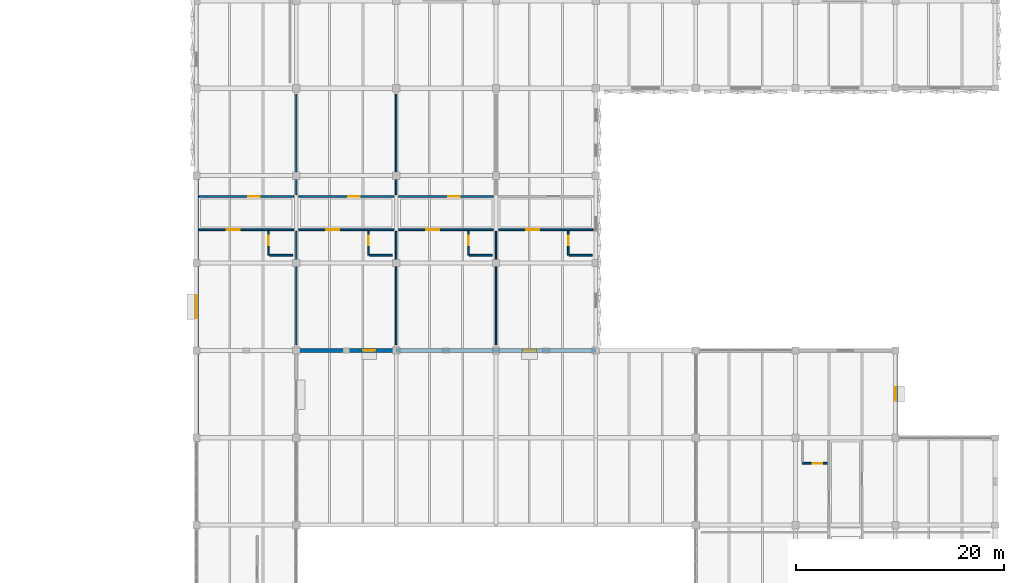
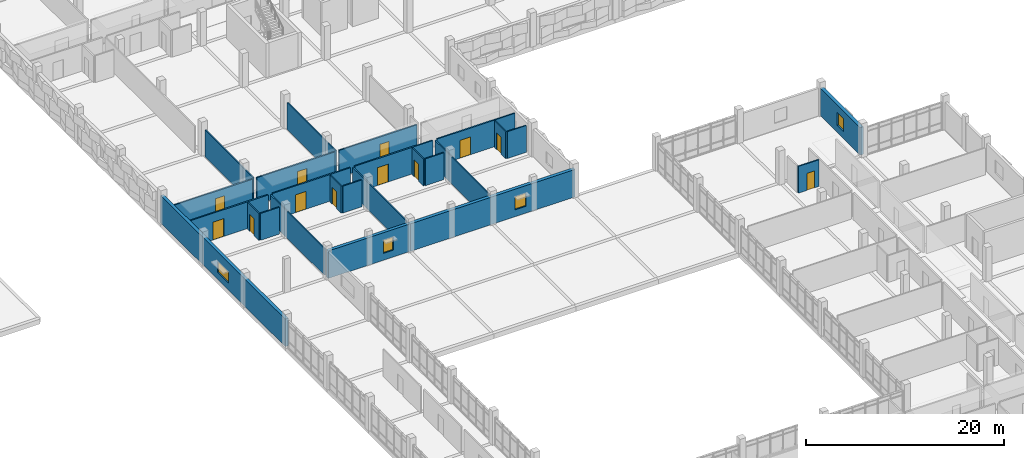
# One storey, part 43 of 57: 25 walls, 12 doors, 4 windows, 16 openings.
"""IFC4 building model written with IfcOpenShell, lengths in metres."""

import ifcopenshell
import ifcopenshell.guid

model = None  # the IFC model being written
_history = None  # IfcOwnerHistory: only IFC2X3 demands one
_inside = {}  # id of a spatial element -> (the spatial element, [elements in it])
_under = {}  # id of a project, library or spatial element -> (it, [spatial elements below it])
_declared = {}  # id of a project -> (the project, [libraries it declares])
_typed = {}  # id of a type object -> (the type object, [elements of that type])
_made_of = {}  # id of a material, layer set ... -> (it, [elements and type objects made of it])


def new_model(schema):
    """Start an empty IFC model of exactly this schema.

    Asked for "IFC4X3", IfcOpenShell would pick the latest addendum, in which some entities
    have other attributes; the version numbers below select the first issue.
    IFC2X3 requires an IfcOwnerHistory on every rooted entity: one is made here for all.
    """
    global model, _history
    if schema == "IFC4X3":
        model = ifcopenshell.file(schema_version=(4, 3, 0, 0))
    else:
        model = ifcopenshell.file(schema=schema)
    _inside.clear()
    _under.clear()
    _declared.clear()
    _typed.clear()
    _made_of.clear()
    _history = None
    if model.schema == "IFC2X3":
        org = make("IfcOrganization", Name="unknown")
        user = make(
            "IfcPersonAndOrganization",
            ThePerson=make("IfcPerson", FamilyName="unknown"),
            TheOrganization=org,
        )
        app = make(
            "IfcApplication",
            ApplicationDeveloper=org,
            Version="unknown",
            ApplicationFullName="unknown",
            ApplicationIdentifier="unknown",
        )
        _history = make(
            "IfcOwnerHistory",
            OwningUser=user,
            OwningApplication=app,
            ChangeAction="ADDED",
            CreationDate=0,
        )
    return model


def make(cls, **values):
    """One entity of the class cls with the attributes given. An attribute that is None is left unset."""
    return model.create_entity(
        cls, **{name: value for name, value in values.items() if value is not None}
    )


def rooted(cls, **values):
    """An entity with a GlobalId (a new one), such as an element, a storey or a relation."""
    return make(cls, GlobalId=ifcopenshell.guid.new(), OwnerHistory=_history, **values)


def si_unit(unit_type, name, prefix=None):
    """IfcSIUnit, for example si_unit("LENGTHUNIT", "METRE", prefix="MILLI")."""
    return make("IfcSIUnit", UnitType=unit_type, Prefix=prefix, Name=name)


def assignment(units):
    """IfcUnitAssignment: the units of a project."""
    return None if units is None else make("IfcUnitAssignment", Units=units)


def point(xyz):
    """IfcCartesianPoint."""
    return None if xyz is None else make("IfcCartesianPoint", Coordinates=xyz)


def direction(xyz):
    """IfcDirection."""
    return None if xyz is None else make("IfcDirection", DirectionRatios=xyz)


def frame(location, z_axis=None, x_axis=None):
    """IfcAxis2Placement3D, a coordinate frame: its origin and axes. An axis left out is left unset."""
    return make(
        "IfcAxis2Placement3D",
        Location=point(location),
        Axis=direction(z_axis),
        RefDirection=direction(x_axis),
    )


def frame_2d(location, x_axis=None):
    """IfcAxis2Placement2D, a coordinate frame in the plane: its origin and x axis."""
    return make(
        "IfcAxis2Placement2D", Location=point(location), RefDirection=direction(x_axis)
    )


def origin():
    """The frame at (0, 0, 0) with its axes left unset."""
    return frame((0.0, 0.0, 0.0))


def place(relative_to, where):
    """IfcLocalPlacement: puts the frame where relative to a parent placement (None: the world)."""
    return make(
        "IfcLocalPlacement", PlacementRelTo=relative_to, RelativePlacement=where
    )


def context(
    kind, dimensions, precision=None, world=None, true_north=None, identifier=None
):
    """IfcGeometricRepresentationContext, for example the 3D "Model" context."""
    return make(
        "IfcGeometricRepresentationContext",
        ContextIdentifier=identifier,
        ContextType=kind,
        CoordinateSpaceDimension=dimensions,
        Precision=precision,
        WorldCoordinateSystem=world,
        TrueNorth=true_north,
    )


def subcontext(parent, identifier, kind, view, scale=None):
    """IfcGeometricRepresentationSubContext, for example "Body" below "Model"."""
    return make(
        "IfcGeometricRepresentationSubContext",
        ContextIdentifier=identifier,
        ContextType=kind,
        ParentContext=parent,
        TargetScale=scale,
        TargetView=view,
    )


def project(units=None, contexts=None):
    """IfcProject with its units and contexts."""
    return rooted(
        "IfcProject",
        Name="project",
        RepresentationContexts=contexts,
        UnitsInContext=assignment(units),
    )


def spatial(cls, under=None, at=None, **own):
    """A site, building, storey or space (cls), placed at a placement, below another one or the project."""
    s = rooted(cls, ObjectPlacement=at, **own)
    if under is not None:
        _under.setdefault(under.id(), (under, []))[1].append(s)
    return s


def profile(cls, at=None, kind="AREA", **sizes):
    """A parametric profile (cls). Its sizes go by their IFC names, for example OverallWidth=200.0."""
    return make(cls, ProfileType=kind, Position=at, **sizes)


def rectangle(**sizes):
    """IfcRectangleProfileDef."""
    return profile("IfcRectangleProfileDef", **sizes)


def extrude(swept, where, along, depth):
    """IfcExtrudedAreaSolid: the profile swept, set in the frame where, extruded along a direction by depth."""
    return make(
        "IfcExtrudedAreaSolid",
        SweptArea=swept,
        Position=where,
        ExtrudedDirection=direction(along),
        Depth=depth,
    )


def shape(context_of_items, identifier, shape_type, items):
    """IfcShapeRepresentation: the items that make up one representation, for example the "Body"."""
    return make(
        "IfcShapeRepresentation",
        ContextOfItems=context_of_items,
        RepresentationIdentifier=identifier,
        RepresentationType=shape_type,
        Items=items,
    )


def material(Name=None, Category=None):
    """IfcMaterial."""
    return make("IfcMaterial", Name=Name, Category=Category)


def layer(
    of_material, thickness, ventilated=None, Name=None, Category=None, Priority=None
):
    """IfcMaterialLayer: one layer of a wall or slab, of a material (None: an air gap)."""
    return make(
        "IfcMaterialLayer",
        Material=of_material,
        LayerThickness=thickness,
        IsVentilated=ventilated,
        Name=Name,
        Category=Category,
        Priority=Priority,
    )


def layer_set(layers, Name=None):
    """IfcMaterialLayerSet."""
    return make("IfcMaterialLayerSet", MaterialLayers=layers, LayerSetName=Name)


def made_of(thing, what):
    """Note that an element or type object is made of a material, layer set ...; save() writes the relation."""
    if what is not None:
        _made_of.setdefault(what.id(), (what, []))[1].append(thing)
    return thing


def type_object(cls, material=None, **own):
    """A type object (cls), such as IfcWallType, which elements share."""
    return made_of(rooted(cls, **own), material)


def element(
    cls,
    number,
    at=None,
    inside=None,
    cuts=None,
    type_object=None,
    material=None,
    context=None,
    identifier="Body",
    shape_type=None,
    held_by="IfcProductDefinitionShape",
    body=None,
    shapes=None,
    **own,
):
    """One element of the class cls, such as IfcWall. Its Tag is "e" and its number.

    at: its placement. inside: the storey or other place that contains it. cuts: it is an
    opening in that element (IfcRelVoidsElement). A single representation is given by context,
    identifier, shape_type and body (its items); several are given by shapes. held_by: the class
    of the entity that holds the representations. save() writes the other relations.
    """
    e = rooted(cls, Tag="e%d" % number, ObjectPlacement=at, **own)
    if body is not None:
        shapes = [shape(context, identifier, shape_type, body)]
    if shapes is not None:
        e.Representation = make(held_by, Representations=shapes)
    if inside is not None:
        _inside.setdefault(inside.id(), (inside, []))[1].append(e)
    if cuts is not None:
        rooted(
            "IfcRelVoidsElement", RelatingBuildingElement=cuts, RelatedOpeningElement=e
        )
    if type_object is not None:
        _typed.setdefault(type_object.id(), (type_object, []))[1].append(e)
    return made_of(e, material)


def fill(opening, filler):
    """IfcRelFillsElement: the door or window that sits in an opening."""
    return rooted(
        "IfcRelFillsElement",
        RelatingOpeningElement=opening,
        RelatedBuildingElement=filler,
    )


def aggregate(whole, parts):
    """IfcRelAggregates: a whole, such as a stair, and the parts it consists of."""
    return rooted("IfcRelAggregates", RelatingObject=whole, RelatedObjects=parts)


def save(model, path):
    """Write the relations noted so far, then the file.

    IfcRelAggregates (storeys below a building ...), IfcRelContainedInSpatialStructure (elements
    in a storey), IfcRelDefinesByType, IfcRelAssociatesMaterial and IfcRelDeclares: one each for
    every whole, place, type object, material and project.
    """
    for whole, parts in _under.values():
        aggregate(whole, parts)
    for where, things in _inside.values():
        rooted(
            "IfcRelContainedInSpatialStructure",
            RelatedElements=things,
            RelatingStructure=where,
        )
    for kind, things in _typed.values():
        rooted("IfcRelDefinesByType", RelatedObjects=things, RelatingType=kind)
    for what, things in _made_of.values():
        rooted("IfcRelAssociatesMaterial", RelatedObjects=things, RelatingMaterial=what)
    for by, libraries in _declared.values():
        rooted("IfcRelDeclares", RelatingContext=by, RelatedDefinitions=libraries)
    model.write(path)


model = new_model("IFC4")

# Units and contexts
model_context = context("Model", 3, precision=1e-05, world=origin(), true_north=direction((0.0, 1.0)))
body_context = subcontext(model_context, "Body", "Model", "MODEL_VIEW")
ifc_project = project(units=[si_unit("LENGTHUNIT", "METRE"), si_unit("AREAUNIT", "SQUARE_METRE"), si_unit("VOLUMEUNIT", "CUBIC_METRE"), si_unit("PLANEANGLEUNIT", "RADIAN"), si_unit("MASSUNIT", "GRAM", prefix="KILO")], contexts=[model_context])

# Site, building, storey
site_placement = place(None, origin())
site = spatial("IfcSite", under=ifc_project, at=site_placement, CompositionType="ELEMENT")
building_placement = place(site_placement, origin())
building = spatial("IfcBuilding", under=site, at=building_placement, Name="Oolite Switchyard Hospital", CompositionType="ELEMENT")
storey_placement = place(building_placement, frame((0.0, 0.0, 17.800048828125)))
storey = spatial("IfcBuildingStorey", under=building, at=storey_placement, Name="L04", CompositionType="ELEMENT", Elevation=17.800048828125)

# Wall, opening, window
ifc_material_1 = material(Name="Precast oolitic limestone architectural concrete C40/50", Category="masonry")
ifc_layer_1 = layer(ifc_material_1, 0.360107421875)
ifc_layer_set_1 = layer_set([ifc_layer_1], Name="WAL-EXT-360")
wall_type_1 = type_object("IfcWallType", Name="WAL-EXT-360", PredefinedType="SOLIDWALL", material=ifc_layer_set_1)
wall_1_placement = place(storey_placement, frame((153.60009765625, 75.60009765625, 0.0), z_axis=(0.0, 0.0, 1.0), x_axis=(-1.0, 0.0, 0.0)))
wall_1 = element("IfcWall", 1, at=wall_1_placement, inside=storey, type_object=wall_type_1, Name="L04 Exterior Spandrel Wall 260", PredefinedType="SOLIDWALL", context=body_context, shape_type="SweptSolid", body=[
    extrude(rectangle(XDim=9.60009765625, YDim=0.360107421875, at=frame_2d((4.800048828125, 0.0))), origin(), (0.0, 0.0, 1.0), 3.389892578125),
])
opening_1_placement = place(wall_1_placement, frame((2.028076171875, 0.0, 0.85009765625)))
opening_1 = element("IfcOpeningElement", 2, at=opening_1_placement, cuts=wall_1, Name="Opening WN-0155", PredefinedType="OPENING", context=body_context, shape_type="SweptSolid", body=[
    extrude(rectangle(XDim=1.14990234375, YDim=1.60009765625, at=frame_2d((0.574951171875, 0.800048828125))), frame((0.0, 0.18994140625, 0.0), z_axis=(0.0, -1.0, 0.0), x_axis=(1.0, 0.0, 0.0)), (0.0, 0.0, 1.0), 0.380126953125),
])
ifc_material_2 = material(Name="Thermally broken aluminum frame with laminated impact glazing", Category="aluminium")
window_type_1 = type_object("IfcWindowType", Name="WIN-IMP-115X160", PartitioningType="SINGLE_PANEL", PredefinedType="WINDOW", material=ifc_material_2)
window_1_placement = place(opening_1_placement, origin())
window_1 = element("IfcWindow", 3, at=window_1_placement, inside=storey, type_object=window_type_1, Name="L04 Hurricane Impact Window WN-0155", OverallHeight=1.60009765625, OverallWidth=1.14990234375, PartitioningType="SINGLE_PANEL", PredefinedType="WINDOW", context=body_context, shape_type="SweptSolid", body=[
    extrude(rectangle(XDim=1.14990234375, YDim=1.60009765625, at=frame_2d((0.574951171875, 0.800048828125))), frame((0.0, 0.030029296875, 0.0), z_axis=(0.0, -1.0, 0.0), x_axis=(1.0, 0.0, 0.0)), (0.0, 0.0, 1.0), 0.06005859375),
])
fill(opening_1, window_1)

wall_2_placement = place(storey_placement, frame((134.39990234375, 67.199951171875, 0.0), z_axis=(0.0, 0.0, 1.0), x_axis=(0.0, 1.0, 0.0)))
wall_2 = element("IfcWall", 4, at=wall_2_placement, inside=storey, type_object=wall_type_1, Name="L04 Exterior Spandrel Wall 295", PredefinedType="SOLIDWALL", context=body_context, shape_type="SweptSolid", body=[
    extrude(rectangle(XDim=25.199951171875, YDim=0.360107421875, at=frame_2d((12.60009765625, 0.0))), origin(), (0.0, 0.0, 1.0), 3.389892578125),
])
opening_2_placement = place(wall_2_placement, frame((11.5, 0.0, 0.85009765625)))
opening_2 = element("IfcOpeningElement", 5, at=opening_2_placement, cuts=wall_2, Name="Opening WN-0175", PredefinedType="OPENING", context=body_context, shape_type="SweptSolid", body=[
    extrude(rectangle(XDim=2.199951171875, YDim=1.39990234375, at=frame_2d((1.10009765625, 0.699951171875))), frame((0.0, 0.18994140625, 0.0), z_axis=(0.0, -1.0, 0.0), x_axis=(1.0, 0.0, 0.0)), (0.0, 0.0, 1.0), 0.380126953125),
])
window_type_2 = type_object("IfcWindowType", Name="WIN-IMP-220X140", PartitioningType="SINGLE_PANEL", PredefinedType="WINDOW", material=ifc_material_2)
window_2_placement = place(opening_2_placement, origin())
window_2 = element("IfcWindow", 6, at=window_2_placement, inside=storey, type_object=window_type_2, Name="L04 Hurricane Impact Window WN-0175", OverallHeight=1.39990234375, OverallWidth=2.199951171875, PartitioningType="SINGLE_PANEL", PredefinedType="WINDOW", context=body_context, shape_type="SweptSolid", body=[
    extrude(rectangle(XDim=2.199951171875, YDim=1.39990234375, at=frame_2d((1.10009765625, 0.699951171875))), frame((0.0, 0.030029296875, 0.0), z_axis=(0.0, -1.0, 0.0), x_axis=(1.0, 0.0, 0.0)), (0.0, 0.0, 1.0), 0.06005859375),
])
fill(opening_2, window_2)

ifc_layer_2 = layer(ifc_material_1, 0.3798828125)
ifc_layer_set_2 = layer_set([ifc_layer_2], Name="WAL-EXT-380")
wall_type_2 = type_object("IfcWallType", Name="WAL-EXT-380", PredefinedType="SOLIDWALL", material=ifc_layer_set_2)
wall_3_placement = place(storey_placement, frame((172.800048828125, 75.60009765625, 0.0), z_axis=(0.0, 0.0, 1.0), x_axis=(-1.0, 0.0, 0.0)))
wall_3 = element("IfcWall", 7, at=wall_3_placement, inside=storey, type_object=wall_type_2, Name="L04 Exterior Spandrel Wall 261", PredefinedType="SOLIDWALL", context=body_context, shape_type="SweptSolid", body=[
    extrude(rectangle(XDim=19.199951171875, YDim=0.3798828125, at=frame_2d((9.60009765625, 0.0))), origin(), (0.0, 0.0, 1.0), 3.389892578125),
])
opening_3_placement = place(wall_3_placement, frame((5.72802734375, 0.0, 0.85009765625)))
opening_3 = element("IfcOpeningElement", 8, at=opening_3_placement, cuts=wall_3, Name="Opening WN-0156", PredefinedType="OPENING", context=body_context, shape_type="SweptSolid", body=[
    extrude(rectangle(XDim=1.300048828125, YDim=1.60009765625, at=frame_2d((0.64990234375, 0.800048828125))), frame((0.0, 0.199951171875, 0.0), z_axis=(0.0, -1.0, 0.0), x_axis=(1.0, 0.0, 0.0)), (0.0, 0.0, 1.0), 0.39990234375),
])
window_type_3 = type_object("IfcWindowType", Name="WIN-IMP-130X160", PartitioningType="SINGLE_PANEL", PredefinedType="WINDOW", material=ifc_material_2)
window_3_placement = place(opening_3_placement, origin())
window_3 = element("IfcWindow", 9, at=window_3_placement, inside=storey, type_object=window_type_3, Name="L04 Hurricane Impact Window WN-0156", OverallHeight=1.60009765625, OverallWidth=1.300048828125, PartitioningType="SINGLE_PANEL", PredefinedType="WINDOW", context=body_context, shape_type="SweptSolid", body=[
    extrude(rectangle(XDim=1.300048828125, YDim=1.60009765625, at=frame_2d((0.64990234375, 0.800048828125))), frame((0.0, 0.030029296875, 0.0), z_axis=(0.0, -1.0, 0.0), x_axis=(1.0, 0.0, 0.0)), (0.0, 0.0, 1.0), 0.06005859375),
])
fill(opening_3, window_3)

wall_4_placement = place(storey_placement, frame((201.60009765625, 75.43994140625, 0.0), z_axis=(0.0, 0.0, 1.0), x_axis=(0.0, -1.0, 0.0)))
wall_4 = element("IfcWall", 10, at=wall_4_placement, inside=storey, type_object=wall_type_2, Name="L04 Exterior Spandrel Wall 303", PredefinedType="SOLIDWALL", context=body_context, shape_type="SweptSolid", body=[
    extrude(rectangle(XDim=8.079833984375, YDim=0.3798828125, at=frame_2d((4.0400390625, 0.0))), origin(), (0.0, 0.0, 1.0), 3.389892578125),
])
opening_4_placement = place(wall_4_placement, frame((3.389892578125, 0.0, 0.85009765625)))
opening_4 = element("IfcOpeningElement", 11, at=opening_4_placement, cuts=wall_4, Name="Opening WN-0183", PredefinedType="OPENING", context=body_context, shape_type="SweptSolid", body=[
    extrude(rectangle(XDim=1.300048828125, YDim=1.60009765625, at=frame_2d((0.64990234375, 0.800048828125))), frame((0.0, 0.199951171875, 0.0), z_axis=(0.0, -1.0, 0.0), x_axis=(1.0, 0.0, 0.0)), (0.0, 0.0, 1.0), 0.39990234375),
])
window_4_placement = place(opening_4_placement, origin())
window_4 = element("IfcWindow", 12, at=window_4_placement, inside=storey, type_object=window_type_3, Name="L04 Hurricane Impact Window WN-0183", OverallHeight=1.60009765625, OverallWidth=1.300048828125, PartitioningType="SINGLE_PANEL", PredefinedType="WINDOW", context=body_context, shape_type="SweptSolid", body=[
    extrude(rectangle(XDim=1.300048828125, YDim=1.60009765625, at=frame_2d((0.64990234375, 0.800048828125))), frame((0.0, 0.030029296875, 0.0), z_axis=(0.0, -1.0, 0.0), x_axis=(1.0, 0.0, 0.0)), (0.0, 0.0, 1.0), 0.06005859375),
])
fill(opening_4, window_4)

# Walls
ifc_material_3 = material(Name="Moisture-resistant gypsum board on steel studs", Category="steel")
ifc_layer_3 = layer(ifc_material_3, 0.135009765625)
ifc_layer_set_3 = layer_set([ifc_layer_3], Name="WAL-PART-135")
wall_type_3 = type_object("IfcWallType", Name="WAL-PART-135", PredefinedType="PARTITIONING", material=ifc_layer_set_3)
wall_5_placement = place(storey_placement, frame((144.0, 76.14990234375, 0.0), z_axis=(0.0, 0.0, 1.0), x_axis=(0.0, 1.0, 0.0)))
element("IfcWall", 13, at=wall_5_placement, inside=storey, type_object=wall_type_3, Name="L04 Interior Partition 954", PredefinedType="PARTITIONING", context=body_context, shape_type="SweptSolid", body=[
    extrude(rectangle(XDim=10.900146484375, YDim=0.135009765625, at=frame_2d((5.4501953125, 0.0))), origin(), (0.0, 0.0, 1.0), 3.300048828125),
])
wall_6_placement = place(storey_placement, frame((144.0, 90.550048828125, 0.0), z_axis=(0.0, 0.0, 1.0), x_axis=(0.0, 1.0, 0.0)))
element("IfcWall", 14, at=wall_6_placement, inside=storey, type_object=wall_type_3, Name="L04 Interior Partition 956", PredefinedType="PARTITIONING", context=body_context, shape_type="SweptSolid", body=[
    extrude(rectangle(XDim=9.699951171875, YDim=0.135009765625, at=frame_2d((4.85009765625, 0.0))), origin(), (0.0, 0.0, 1.0), 3.300048828125),
])
wall_7_placement = place(storey_placement, frame((153.60009765625, 76.14990234375, 0.0), z_axis=(0.0, 0.0, 1.0), x_axis=(0.0, 1.0, 0.0)))
element("IfcWall", 15, at=wall_7_placement, inside=storey, type_object=wall_type_3, Name="L04 Interior Partition 960", PredefinedType="PARTITIONING", context=body_context, shape_type="SweptSolid", body=[
    extrude(rectangle(XDim=10.900146484375, YDim=0.135009765625, at=frame_2d((5.4501953125, 0.0))), origin(), (0.0, 0.0, 1.0), 3.300048828125),
])
wall_8_placement = place(storey_placement, frame((153.60009765625, 90.550048828125, 0.0), z_axis=(0.0, 0.0, 1.0), x_axis=(0.0, 1.0, 0.0)))
element("IfcWall", 16, at=wall_8_placement, inside=storey, type_object=wall_type_3, Name="L04 Interior Partition 962", PredefinedType="PARTITIONING", context=body_context, shape_type="SweptSolid", body=[
    extrude(rectangle(XDim=9.699951171875, YDim=0.135009765625, at=frame_2d((4.85009765625, 0.0))), origin(), (0.0, 0.0, 1.0), 3.300048828125),
])
wall_9_placement = place(storey_placement, frame((163.199951171875, 76.14990234375, 0.0), z_axis=(0.0, 0.0, 1.0), x_axis=(0.0, 1.0, 0.0)))
element("IfcWall", 17, at=wall_9_placement, inside=storey, type_object=wall_type_3, Name="L04 Interior Partition 966", PredefinedType="PARTITIONING", context=body_context, shape_type="SweptSolid", body=[
    extrude(rectangle(XDim=10.900146484375, YDim=0.135009765625, at=frame_2d((5.4501953125, 0.0))), origin(), (0.0, 0.0, 1.0), 3.300048828125),
])

# Wall, opening, door
ifc_layer_4 = layer(ifc_material_3, 0.14990234375)
ifc_layer_set_4 = layer_set([ifc_layer_4], Name="WAL-PART-150")
wall_type_4 = type_object("IfcWallType", Name="WAL-PART-150", PredefinedType="PARTITIONING", material=ifc_layer_set_4)
wall_10_placement = place(storey_placement, frame((192.64990234375, 64.75, 0.0), z_axis=(0.0, 0.0, 1.0), x_axis=(1.0, 0.0, 0.0)))
wall_10 = element("IfcWall", 18, at=wall_10_placement, inside=storey, type_object=wall_type_4, Name="L04 Interior Partition 824", PredefinedType="PARTITIONING", context=body_context, shape_type="SweptSolid", body=[
    extrude(rectangle(XDim=2.400146484375, YDim=0.14990234375, at=frame_2d((1.2001953125, 0.0))), origin(), (0.0, 0.0, 1.0), 3.300048828125),
])
opening_5_placement = place(wall_10_placement, frame((1.0, 0.0, 0.0)))
opening_5 = element("IfcOpeningElement", 19, at=opening_5_placement, cuts=wall_10, Name="Opening D-0458", PredefinedType="OPENING", context=body_context, shape_type="SweptSolid", body=[
    extrude(rectangle(XDim=0.89990234375, YDim=2.10009765625, at=frame_2d((0.449951171875, 1.050048828125))), frame((0.0, 0.0849609375, 0.0), z_axis=(0.0, -1.0, 0.0), x_axis=(1.0, 0.0, 0.0)), (0.0, 0.0, 1.0), 0.169921875),
])
ifc_material_4 = material(Name="Solid-core antimicrobial hardwood leaf in steel frame", Category="steel")
door_type_1 = type_object("IfcDoorType", Name="DR-BATH-090X210", OperationType="NOTDEFINED", PredefinedType="DOOR", material=ifc_material_4)
door_1_placement = place(opening_5_placement, origin())
door_1 = element("IfcDoor", 20, at=door_1_placement, inside=storey, type_object=door_type_1, Name="L04 Interior Door D-0458", OperationType="SINGLE_SWING_RIGHT", OverallHeight=2.10009765625, OverallWidth=0.89990234375, PredefinedType="DOOR", context=body_context, shape_type="SweptSolid", body=[
    extrude(rectangle(XDim=0.89990234375, YDim=2.10009765625, at=frame_2d((0.449951171875, 1.050048828125))), frame((0.0, 0.02490234375, 0.0), z_axis=(0.0, -1.0, 0.0), x_axis=(1.0, 0.0, 0.0)), (0.0, 0.0, 1.0), 0.050048828125),
])
fill(opening_5, door_1)

wall_11_placement = place(storey_placement, frame((141.35009765625, 84.75, 0.0), z_axis=(0.0, 0.0, 1.0), x_axis=(0.0, 1.0, 0.0)))
wall_11 = element("IfcWall", 21, at=wall_11_placement, inside=storey, type_object=wall_type_4, Name="L04 Interior Partition 948", PredefinedType="PARTITIONING", context=body_context, shape_type="SweptSolid", body=[
    extrude(rectangle(XDim=2.300048828125, YDim=0.14990234375, at=frame_2d((1.14990234375, 0.0))), origin(), (0.0, 0.0, 1.0), 3.300048828125),
])
opening_6_placement = place(wall_11_placement, frame((0.949951171875, 0.0, 0.0)))
opening_6 = element("IfcOpeningElement", 22, at=opening_6_placement, cuts=wall_11, Name="Opening D-0526", PredefinedType="OPENING", context=body_context, shape_type="SweptSolid", body=[
    extrude(rectangle(XDim=0.89990234375, YDim=2.10009765625, at=frame_2d((0.449951171875, 1.050048828125))), frame((0.0, 0.0849609375, 0.0), z_axis=(0.0, -1.0, 0.0), x_axis=(1.0, 0.0, 0.0)), (0.0, 0.0, 1.0), 0.169921875),
])
door_2_placement = place(opening_6_placement, origin())
door_2 = element("IfcDoor", 23, at=door_2_placement, inside=storey, type_object=door_type_1, Name="L04 Interior Door D-0526", OperationType="SINGLE_SWING_RIGHT", OverallHeight=2.10009765625, OverallWidth=0.89990234375, PredefinedType="DOOR", context=body_context, shape_type="SweptSolid", body=[
    extrude(rectangle(XDim=0.89990234375, YDim=2.10009765625, at=frame_2d((0.449951171875, 1.050048828125))), frame((0.0, 0.02490234375, 0.0), z_axis=(0.0, -1.0, 0.0), x_axis=(1.0, 0.0, 0.0)), (0.0, 0.0, 1.0), 0.050048828125),
])
fill(opening_6, door_2)

# Wall
wall_12_placement = place(storey_placement, frame((141.449951171875, 84.75, 0.0), z_axis=(0.0, 0.0, 1.0), x_axis=(1.0, 0.0, 0.0)))
element("IfcWall", 24, at=wall_12_placement, inside=storey, type_object=wall_type_4, Name="L04 Interior Partition 949", PredefinedType="PARTITIONING", context=body_context, shape_type="SweptSolid", body=[
    extrude(rectangle(XDim=2.199951171875, YDim=0.14990234375, at=frame_2d((1.10009765625, 0.0))), origin(), (0.0, 0.0, 1.0), 3.300048828125),
])

# Wall, opening, door
wall_13_placement = place(storey_placement, frame((150.949951171875, 84.75, 0.0), z_axis=(0.0, 0.0, 1.0), x_axis=(0.0, 1.0, 0.0)))
wall_13 = element("IfcWall", 25, at=wall_13_placement, inside=storey, type_object=wall_type_4, Name="L04 Interior Partition 952", PredefinedType="PARTITIONING", context=body_context, shape_type="SweptSolid", body=[
    extrude(rectangle(XDim=2.300048828125, YDim=0.14990234375, at=frame_2d((1.14990234375, 0.0))), origin(), (0.0, 0.0, 1.0), 3.300048828125),
])
opening_7_placement = place(wall_13_placement, frame((0.949951171875, 0.0, 0.0)))
opening_7 = element("IfcOpeningElement", 26, at=opening_7_placement, cuts=wall_13, Name="Opening D-0529", PredefinedType="OPENING", context=body_context, shape_type="SweptSolid", body=[
    extrude(rectangle(XDim=0.89990234375, YDim=2.10009765625, at=frame_2d((0.449951171875, 1.050048828125))), frame((0.0, 0.0849609375, 0.0), z_axis=(0.0, -1.0, 0.0), x_axis=(1.0, 0.0, 0.0)), (0.0, 0.0, 1.0), 0.169921875),
])
door_3_placement = place(opening_7_placement, origin())
door_3 = element("IfcDoor", 27, at=door_3_placement, inside=storey, type_object=door_type_1, Name="L04 Interior Door D-0529", OperationType="SINGLE_SWING_LEFT", OverallHeight=2.10009765625, OverallWidth=0.89990234375, PredefinedType="DOOR", context=body_context, shape_type="SweptSolid", body=[
    extrude(rectangle(XDim=0.89990234375, YDim=2.10009765625, at=frame_2d((0.449951171875, 1.050048828125))), frame((0.0, 0.02490234375, 0.0), z_axis=(0.0, -1.0, 0.0), x_axis=(1.0, 0.0, 0.0)), (0.0, 0.0, 1.0), 0.050048828125),
])
fill(opening_7, door_3)

# Wall
wall_14_placement = place(storey_placement, frame((151.050048828125, 84.75, 0.0), z_axis=(0.0, 0.0, 1.0), x_axis=(1.0, 0.0, 0.0)))
element("IfcWall", 28, at=wall_14_placement, inside=storey, type_object=wall_type_4, Name="L04 Interior Partition 953", PredefinedType="PARTITIONING", context=body_context, shape_type="SweptSolid", body=[
    extrude(rectangle(XDim=2.199951171875, YDim=0.14990234375, at=frame_2d((1.10009765625, 0.0))), origin(), (0.0, 0.0, 1.0), 3.300048828125),
])

# Wall, opening, door
wall_15_placement = place(storey_placement, frame((160.550048828125, 84.75, 0.0), z_axis=(0.0, 0.0, 1.0), x_axis=(0.0, 1.0, 0.0)))
wall_15 = element("IfcWall", 29, at=wall_15_placement, inside=storey, type_object=wall_type_4, Name="L04 Interior Partition 958", PredefinedType="PARTITIONING", context=body_context, shape_type="SweptSolid", body=[
    extrude(rectangle(XDim=2.300048828125, YDim=0.14990234375, at=frame_2d((1.14990234375, 0.0))), origin(), (0.0, 0.0, 1.0), 3.300048828125),
])
opening_8_placement = place(wall_15_placement, frame((0.949951171875, 0.0, 0.0)))
opening_8 = element("IfcOpeningElement", 30, at=opening_8_placement, cuts=wall_15, Name="Opening D-0532", PredefinedType="OPENING", context=body_context, shape_type="SweptSolid", body=[
    extrude(rectangle(XDim=0.89990234375, YDim=2.10009765625, at=frame_2d((0.449951171875, 1.050048828125))), frame((0.0, 0.0849609375, 0.0), z_axis=(0.0, -1.0, 0.0), x_axis=(1.0, 0.0, 0.0)), (0.0, 0.0, 1.0), 0.169921875),
])
door_4_placement = place(opening_8_placement, origin())
door_4 = element("IfcDoor", 31, at=door_4_placement, inside=storey, type_object=door_type_1, Name="L04 Interior Door D-0532", OperationType="SINGLE_SWING_RIGHT", OverallHeight=2.10009765625, OverallWidth=0.89990234375, PredefinedType="DOOR", context=body_context, shape_type="SweptSolid", body=[
    extrude(rectangle(XDim=0.89990234375, YDim=2.10009765625, at=frame_2d((0.449951171875, 1.050048828125))), frame((0.0, 0.02490234375, 0.0), z_axis=(0.0, -1.0, 0.0), x_axis=(1.0, 0.0, 0.0)), (0.0, 0.0, 1.0), 0.050048828125),
])
fill(opening_8, door_4)

# Wall
wall_16_placement = place(storey_placement, frame((160.64990234375, 84.75, 0.0), z_axis=(0.0, 0.0, 1.0), x_axis=(1.0, 0.0, 0.0)))
element("IfcWall", 32, at=wall_16_placement, inside=storey, type_object=wall_type_4, Name="L04 Interior Partition 959", PredefinedType="PARTITIONING", context=body_context, shape_type="SweptSolid", body=[
    extrude(rectangle(XDim=2.2001953125, YDim=0.14990234375, at=frame_2d((1.10009765625, 0.0))), origin(), (0.0, 0.0, 1.0), 3.300048828125),
])

# Wall, opening, door
wall_17_placement = place(storey_placement, frame((170.14990234375, 84.75, 0.0), z_axis=(0.0, 0.0, 1.0), x_axis=(0.0, 1.0, 0.0)))
wall_17 = element("IfcWall", 33, at=wall_17_placement, inside=storey, type_object=wall_type_4, Name="L04 Interior Partition 964", PredefinedType="PARTITIONING", context=body_context, shape_type="SweptSolid", body=[
    extrude(rectangle(XDim=2.300048828125, YDim=0.14990234375, at=frame_2d((1.14990234375, 0.0))), origin(), (0.0, 0.0, 1.0), 3.300048828125),
])
opening_9_placement = place(wall_17_placement, frame((0.949951171875, 0.0, 0.0)))
opening_9 = element("IfcOpeningElement", 34, at=opening_9_placement, cuts=wall_17, Name="Opening D-0535", PredefinedType="OPENING", context=body_context, shape_type="SweptSolid", body=[
    extrude(rectangle(XDim=0.89990234375, YDim=2.10009765625, at=frame_2d((0.449951171875, 1.050048828125))), frame((0.0, 0.0849609375, 0.0), z_axis=(0.0, -1.0, 0.0), x_axis=(1.0, 0.0, 0.0)), (0.0, 0.0, 1.0), 0.169921875),
])
door_5_placement = place(opening_9_placement, origin())
door_5 = element("IfcDoor", 35, at=door_5_placement, inside=storey, type_object=door_type_1, Name="L04 Interior Door D-0535", OperationType="SINGLE_SWING_LEFT", OverallHeight=2.10009765625, OverallWidth=0.89990234375, PredefinedType="DOOR", context=body_context, shape_type="SweptSolid", body=[
    extrude(rectangle(XDim=0.89990234375, YDim=2.10009765625, at=frame_2d((0.449951171875, 1.050048828125))), frame((0.0, 0.02490234375, 0.0), z_axis=(0.0, -1.0, 0.0), x_axis=(1.0, 0.0, 0.0)), (0.0, 0.0, 1.0), 0.050048828125),
])
fill(opening_9, door_5)

# Wall
wall_18_placement = place(storey_placement, frame((170.25, 84.75, 0.0), z_axis=(0.0, 0.0, 1.0), x_axis=(1.0, 0.0, 0.0)))
element("IfcWall", 36, at=wall_18_placement, inside=storey, type_object=wall_type_4, Name="L04 Interior Partition 965", PredefinedType="PARTITIONING", context=body_context, shape_type="SweptSolid", body=[
    extrude(rectangle(XDim=2.199951171875, YDim=0.14990234375, at=frame_2d((1.10009765625, 0.0))), origin(), (0.0, 0.0, 1.0), 3.300048828125),
])

# Wall, opening, door
ifc_layer_5 = layer(ifc_material_3, 0.1650390625)
ifc_layer_set_5 = layer_set([ifc_layer_5], Name="WAL-PART-165")
wall_type_5 = type_object("IfcWallType", Name="WAL-PART-165", PredefinedType="PARTITIONING", material=ifc_layer_set_5)
wall_19_placement = place(storey_placement, frame((134.64990234375, 87.199951171875, 0.0), z_axis=(0.0, 0.0, 1.0), x_axis=(1.0, 0.0, 0.0)))
wall_19 = element("IfcWall", 37, at=wall_19_placement, inside=storey, type_object=wall_type_5, Name="L04 Interior Partition 947", PredefinedType="PARTITIONING", context=body_context, shape_type="SweptSolid", body=[
    extrude(rectangle(XDim=9.10009765625, YDim=0.1650390625, at=frame_2d((4.550048828125, 0.0))), origin(), (0.0, 0.0, 1.0), 3.300048828125),
])
opening_10_placement = place(wall_19_placement, frame((2.64990234375, 0.0, 0.0)))
opening_10 = element("IfcOpeningElement", 38, at=opening_10_placement, cuts=wall_19, Name="Opening D-0525", PredefinedType="OPENING", context=body_context, shape_type="SweptSolid", body=[
    extrude(rectangle(XDim=1.25, YDim=2.199951171875, at=frame_2d((0.625, 1.10009765625))), frame((0.0, 0.092529296875, 0.0), z_axis=(0.0, -1.0, 0.0), x_axis=(1.0, 0.0, 0.0)), (0.0, 0.0, 1.0), 0.18505859375),
])
door_type_2 = type_object("IfcDoorType", Name="DR-WARD-125X220", OperationType="NOTDEFINED", PredefinedType="DOOR", material=ifc_material_4)
door_6_placement = place(opening_10_placement, origin())
door_6 = element("IfcDoor", 39, at=door_6_placement, inside=storey, type_object=door_type_2, Name="L04 Interior Door D-0525", OperationType="SINGLE_SWING_LEFT", OverallHeight=2.199951171875, OverallWidth=1.25, PredefinedType="DOOR", context=body_context, shape_type="SweptSolid", body=[
    extrude(rectangle(XDim=1.25, YDim=2.199951171875, at=frame_2d((0.625, 1.10009765625))), frame((0.0, 0.02490234375, 0.0), z_axis=(0.0, -1.0, 0.0), x_axis=(1.0, 0.0, 0.0)), (0.0, 0.0, 1.0), 0.050048828125),
])
fill(opening_10, door_6)

wall_20_placement = place(storey_placement, frame((134.64990234375, 90.39990234375, 0.0), z_axis=(0.0, 0.0, 1.0), x_axis=(1.0, 0.0, 0.0)))
wall_20 = element("IfcWall", 40, at=wall_20_placement, inside=storey, type_object=wall_type_5, Name="L04 Interior Partition 950", PredefinedType="PARTITIONING", context=body_context, shape_type="SweptSolid", body=[
    extrude(rectangle(XDim=9.10009765625, YDim=0.1650390625, at=frame_2d((4.550048828125, 0.0))), origin(), (0.0, 0.0, 1.0), 3.300048828125),
])
opening_11_placement = place(wall_20_placement, frame((4.75, 0.0, 0.0)))
opening_11 = element("IfcOpeningElement", 41, at=opening_11_placement, cuts=wall_20, Name="Opening D-0527", PredefinedType="OPENING", context=body_context, shape_type="SweptSolid", body=[
    extrude(rectangle(XDim=1.10009765625, YDim=2.39990234375, at=frame_2d((0.550048828125, 1.199951171875))), frame((0.0, 0.092529296875, 0.0), z_axis=(0.0, -1.0, 0.0), x_axis=(1.0, 0.0, 0.0)), (0.0, 0.0, 1.0), 0.18505859375),
])
ifc_material_5 = material(Name="Hollow metal fire-rated steel door assembly", Category="steel")
door_type_3 = type_object("IfcDoorType", Name="DR-LAB-110X240", OperationType="NOTDEFINED", PredefinedType="DOOR", material=ifc_material_5)
door_7_placement = place(opening_11_placement, origin())
door_7 = element("IfcDoor", 42, at=door_7_placement, inside=storey, type_object=door_type_3, Name="L04 Interior Door D-0527", OperationType="SINGLE_SWING_RIGHT", OverallHeight=2.39990234375, OverallWidth=1.10009765625, PredefinedType="DOOR", context=body_context, shape_type="SweptSolid", body=[
    extrude(rectangle(XDim=1.10009765625, YDim=2.39990234375, at=frame_2d((0.550048828125, 1.199951171875))), frame((0.0, 0.02490234375, 0.0), z_axis=(0.0, -1.0, 0.0), x_axis=(1.0, 0.0, 0.0)), (0.0, 0.0, 1.0), 0.050048828125),
])
fill(opening_11, door_7)

wall_21_placement = place(storey_placement, frame((144.25, 87.199951171875, 0.0), z_axis=(0.0, 0.0, 1.0), x_axis=(1.0, 0.0, 0.0)))
wall_21 = element("IfcWall", 43, at=wall_21_placement, inside=storey, type_object=wall_type_5, Name="L04 Interior Partition 951", PredefinedType="PARTITIONING", context=body_context, shape_type="SweptSolid", body=[
    extrude(rectangle(XDim=9.10009765625, YDim=0.1650390625, at=frame_2d((4.550048828125, 0.0))), origin(), (0.0, 0.0, 1.0), 3.300048828125),
])
opening_12_placement = place(wall_21_placement, frame((2.64990234375, 0.0, 0.0)))
opening_12 = element("IfcOpeningElement", 44, at=opening_12_placement, cuts=wall_21, Name="Opening D-0528", PredefinedType="OPENING", context=body_context, shape_type="SweptSolid", body=[
    extrude(rectangle(XDim=1.25, YDim=2.199951171875, at=frame_2d((0.625, 1.10009765625))), frame((0.0, 0.092529296875, 0.0), z_axis=(0.0, -1.0, 0.0), x_axis=(1.0, 0.0, 0.0)), (0.0, 0.0, 1.0), 0.18505859375),
])
door_8_placement = place(opening_12_placement, origin())
door_8 = element("IfcDoor", 45, at=door_8_placement, inside=storey, type_object=door_type_2, Name="L04 Interior Door D-0528", OperationType="SINGLE_SWING_RIGHT", OverallHeight=2.199951171875, OverallWidth=1.25, PredefinedType="DOOR", context=body_context, shape_type="SweptSolid", body=[
    extrude(rectangle(XDim=1.25, YDim=2.199951171875, at=frame_2d((0.625, 1.10009765625))), frame((0.0, 0.02490234375, 0.0), z_axis=(0.0, -1.0, 0.0), x_axis=(1.0, 0.0, 0.0)), (0.0, 0.0, 1.0), 0.050048828125),
])
fill(opening_12, door_8)

wall_22_placement = place(storey_placement, frame((144.25, 90.39990234375, 0.0), z_axis=(0.0, 0.0, 1.0), x_axis=(1.0, 0.0, 0.0)))
wall_22 = element("IfcWall", 46, at=wall_22_placement, inside=storey, type_object=wall_type_5, Name="L04 Interior Partition 955", PredefinedType="PARTITIONING", context=body_context, shape_type="SweptSolid", body=[
    extrude(rectangle(XDim=9.10009765625, YDim=0.1650390625, at=frame_2d((4.550048828125, 0.0))), origin(), (0.0, 0.0, 1.0), 3.300048828125),
])
opening_13_placement = place(wall_22_placement, frame((4.75, 0.0, 0.0)))
opening_13 = element("IfcOpeningElement", 47, at=opening_13_placement, cuts=wall_22, Name="Opening D-0530", PredefinedType="OPENING", context=body_context, shape_type="SweptSolid", body=[
    extrude(rectangle(XDim=1.10009765625, YDim=2.39990234375, at=frame_2d((0.550048828125, 1.199951171875))), frame((0.0, 0.092529296875, 0.0), z_axis=(0.0, -1.0, 0.0), x_axis=(1.0, 0.0, 0.0)), (0.0, 0.0, 1.0), 0.18505859375),
])
door_9_placement = place(opening_13_placement, origin())
door_9 = element("IfcDoor", 48, at=door_9_placement, inside=storey, type_object=door_type_3, Name="L04 Interior Door D-0530", OperationType="SINGLE_SWING_LEFT", OverallHeight=2.39990234375, OverallWidth=1.10009765625, PredefinedType="DOOR", context=body_context, shape_type="SweptSolid", body=[
    extrude(rectangle(XDim=1.10009765625, YDim=2.39990234375, at=frame_2d((0.550048828125, 1.199951171875))), frame((0.0, 0.02490234375, 0.0), z_axis=(0.0, -1.0, 0.0), x_axis=(1.0, 0.0, 0.0)), (0.0, 0.0, 1.0), 0.050048828125),
])
fill(opening_13, door_9)

wall_23_placement = place(storey_placement, frame((153.85009765625, 87.199951171875, 0.0), z_axis=(0.0, 0.0, 1.0), x_axis=(1.0, 0.0, 0.0)))
wall_23 = element("IfcWall", 49, at=wall_23_placement, inside=storey, type_object=wall_type_5, Name="L04 Interior Partition 957", PredefinedType="PARTITIONING", context=body_context, shape_type="SweptSolid", body=[
    extrude(rectangle(XDim=9.099853515625, YDim=0.1650390625, at=frame_2d((4.5498046875, 0.0))), origin(), (0.0, 0.0, 1.0), 3.300048828125),
])
opening_14_placement = place(wall_23_placement, frame((2.64990234375, 0.0, 0.0)))
opening_14 = element("IfcOpeningElement", 50, at=opening_14_placement, cuts=wall_23, Name="Opening D-0531", PredefinedType="OPENING", context=body_context, shape_type="SweptSolid", body=[
    extrude(rectangle(XDim=1.25, YDim=2.199951171875, at=frame_2d((0.625, 1.10009765625))), frame((0.0, 0.092529296875, 0.0), z_axis=(0.0, -1.0, 0.0), x_axis=(1.0, 0.0, 0.0)), (0.0, 0.0, 1.0), 0.18505859375),
])
door_10_placement = place(opening_14_placement, origin())
door_10 = element("IfcDoor", 51, at=door_10_placement, inside=storey, type_object=door_type_2, Name="L04 Interior Door D-0531", OperationType="SINGLE_SWING_LEFT", OverallHeight=2.199951171875, OverallWidth=1.25, PredefinedType="DOOR", context=body_context, shape_type="SweptSolid", body=[
    extrude(rectangle(XDim=1.25, YDim=2.199951171875, at=frame_2d((0.625, 1.10009765625))), frame((0.0, 0.02490234375, 0.0), z_axis=(0.0, -1.0, 0.0), x_axis=(1.0, 0.0, 0.0)), (0.0, 0.0, 1.0), 0.050048828125),
])
fill(opening_14, door_10)

wall_24_placement = place(storey_placement, frame((153.85009765625, 90.39990234375, 0.0), z_axis=(0.0, 0.0, 1.0), x_axis=(1.0, 0.0, 0.0)))
wall_24 = element("IfcWall", 52, at=wall_24_placement, inside=storey, type_object=wall_type_5, Name="L04 Interior Partition 961", PredefinedType="PARTITIONING", context=body_context, shape_type="SweptSolid", body=[
    extrude(rectangle(XDim=9.099853515625, YDim=0.1650390625, at=frame_2d((4.5498046875, 0.0))), origin(), (0.0, 0.0, 1.0), 3.300048828125),
])
opening_15_placement = place(wall_24_placement, frame((4.75, 0.0, 0.0)))
opening_15 = element("IfcOpeningElement", 53, at=opening_15_placement, cuts=wall_24, Name="Opening D-0533", PredefinedType="OPENING", context=body_context, shape_type="SweptSolid", body=[
    extrude(rectangle(XDim=1.10009765625, YDim=2.39990234375, at=frame_2d((0.550048828125, 1.199951171875))), frame((0.0, 0.092529296875, 0.0), z_axis=(0.0, -1.0, 0.0), x_axis=(1.0, 0.0, 0.0)), (0.0, 0.0, 1.0), 0.18505859375),
])
door_11_placement = place(opening_15_placement, origin())
door_11 = element("IfcDoor", 54, at=door_11_placement, inside=storey, type_object=door_type_3, Name="L04 Interior Door D-0533", OperationType="SINGLE_SWING_RIGHT", OverallHeight=2.39990234375, OverallWidth=1.10009765625, PredefinedType="DOOR", context=body_context, shape_type="SweptSolid", body=[
    extrude(rectangle(XDim=1.10009765625, YDim=2.39990234375, at=frame_2d((0.550048828125, 1.199951171875))), frame((0.0, 0.02490234375, 0.0), z_axis=(0.0, -1.0, 0.0), x_axis=(1.0, 0.0, 0.0)), (0.0, 0.0, 1.0), 0.050048828125),
])
fill(opening_15, door_11)

wall_25_placement = place(storey_placement, frame((163.449951171875, 87.199951171875, 0.0), z_axis=(0.0, 0.0, 1.0), x_axis=(1.0, 0.0, 0.0)))
wall_25 = element("IfcWall", 55, at=wall_25_placement, inside=storey, type_object=wall_type_5, Name="L04 Interior Partition 963", PredefinedType="PARTITIONING", context=body_context, shape_type="SweptSolid", body=[
    extrude(rectangle(XDim=9.10009765625, YDim=0.1650390625, at=frame_2d((4.550048828125, 0.0))), origin(), (0.0, 0.0, 1.0), 3.300048828125),
])
opening_16_placement = place(wall_25_placement, frame((2.64990234375, 0.0, 0.0)))
opening_16 = element("IfcOpeningElement", 56, at=opening_16_placement, cuts=wall_25, Name="Opening D-0534", PredefinedType="OPENING", context=body_context, shape_type="SweptSolid", body=[
    extrude(rectangle(XDim=1.25, YDim=2.199951171875, at=frame_2d((0.625, 1.10009765625))), frame((0.0, 0.092529296875, 0.0), z_axis=(0.0, -1.0, 0.0), x_axis=(1.0, 0.0, 0.0)), (0.0, 0.0, 1.0), 0.18505859375),
])
door_12_placement = place(opening_16_placement, origin())
door_12 = element("IfcDoor", 57, at=door_12_placement, inside=storey, type_object=door_type_2, Name="L04 Interior Door D-0534", OperationType="SINGLE_SWING_RIGHT", OverallHeight=2.199951171875, OverallWidth=1.25, PredefinedType="DOOR", context=body_context, shape_type="SweptSolid", body=[
    extrude(rectangle(XDim=1.25, YDim=2.199951171875, at=frame_2d((0.625, 1.10009765625))), frame((0.0, 0.02490234375, 0.0), z_axis=(0.0, -1.0, 0.0), x_axis=(1.0, 0.0, 0.0)), (0.0, 0.0, 1.0), 0.050048828125),
])
fill(opening_16, door_12)

save(model, "model.ifc")
